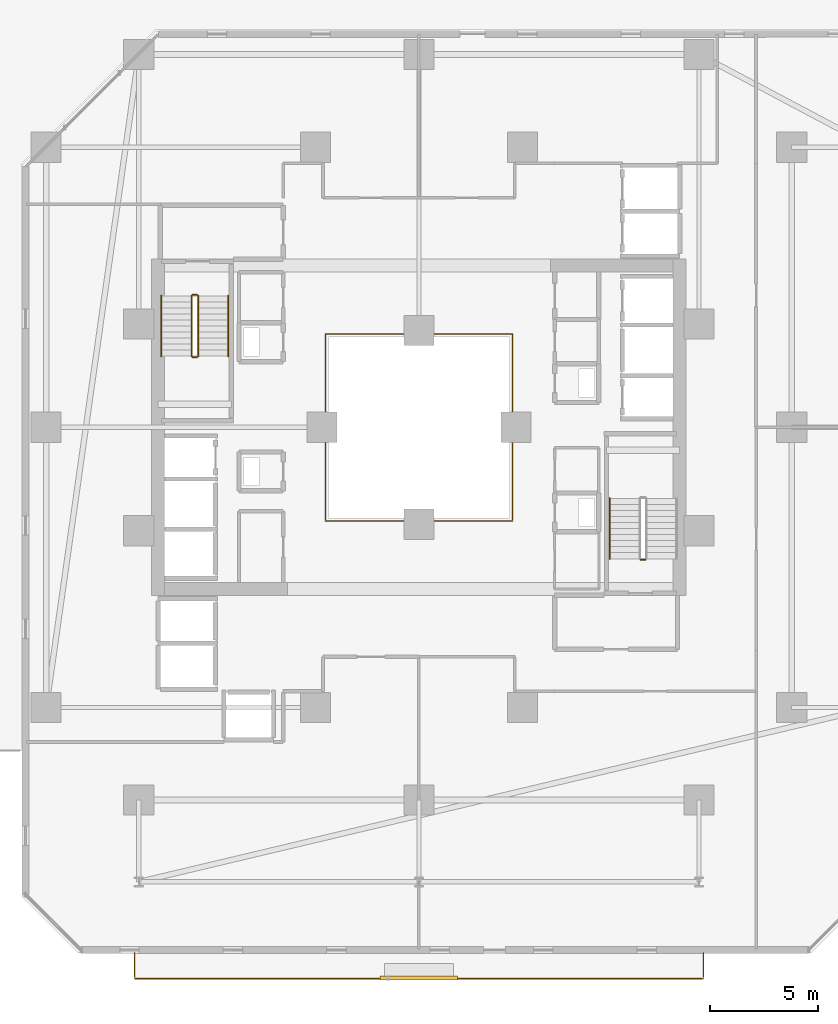
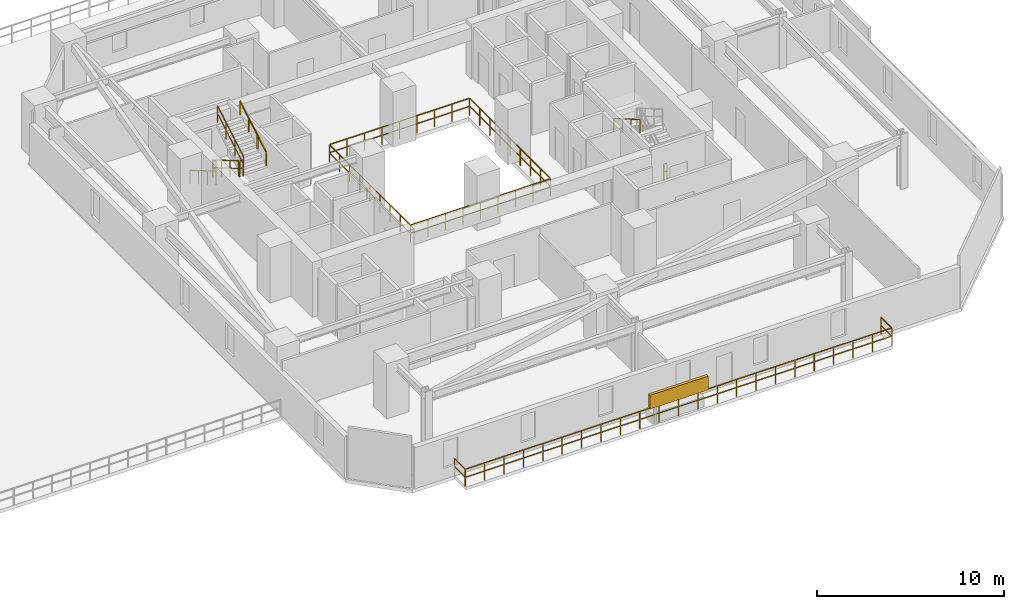
# One storey, part 32 of 34: 10 railings, 1 shading device.
"""IFC4 building model written with IfcOpenShell, lengths in metres."""

from ifc_helpers import new_model, si_unit, direction, frame, origin, origin_2d, place, context, subcontext, project, spatial, rectangle, extrude, material, type_object, element, save


model = new_model("IFC4")

# Units and contexts
model_context = context("Model", 3, precision=1e-05, world=origin(), true_north=direction((0.0, 1.0)))
body_context = subcontext(model_context, "Body", "Model", "MODEL_VIEW")
ifc_project = project(units=[si_unit("LENGTHUNIT", "METRE"), si_unit("AREAUNIT", "SQUARE_METRE"), si_unit("VOLUMEUNIT", "CUBIC_METRE"), si_unit("PLANEANGLEUNIT", "RADIAN"), si_unit("MASSUNIT", "GRAM", prefix="KILO")], contexts=[model_context])

# Site, building, storey
site_placement = place(None, origin())
site = spatial("IfcSite", under=ifc_project, at=site_placement, CompositionType="ELEMENT")
building_placement = place(site_placement, origin())
building = spatial("IfcBuilding", under=site, at=building_placement, Name="Thornwick Lancets Civic Towers", CompositionType="ELEMENT")
storey_placement = place(building_placement, frame((0.0, 0.0, 27.89990234375)))
storey = spatial("IfcBuildingStorey", under=building, at=storey_placement, Name="L06", CompositionType="ELEMENT", Elevation=27.89990234375)

# Railings
ifc_material_1 = material(Name="Laminated glass and bronze steel S355", Category="steel")
railing_type_1 = type_object("IfcRailingType", Name="RAIL_ATRIUM_GUARD", PredefinedType="BALUSTRADE", material=ifc_material_1)
railing_1_placement = place(storey_placement, frame((84.159912109375, 22.659912109375, 0.0)))
element("IfcRailing", 1, at=railing_1_placement, inside=storey, type_object=railing_type_1, Name="L06 Tower B Central Atrium Guard Balustrade", PredefinedType="BALUSTRADE", context=body_context, shape_type="SweptSolid", body=[
    extrude(rectangle(XDim=0.048095703125, YDim=0.048095703125, at=origin_2d()), frame((0.0, 0.0, 1.1259765625), z_axis=(1.0, 0.0, 0.0), x_axis=(0.0, 1.0, 0.0)), (0.0, 0.0, 1.0), 8.64892578125),
    extrude(rectangle(XDim=0.0419921875, YDim=0.0419921875, at=origin_2d()), frame((0.03759765625, 0.0, 0.597900390625), z_axis=(1.0, 0.0, 0.0), x_axis=(0.0, 1.0, 0.0)), (0.0, 0.0, 1.0), 1.010009765625),
    extrude(rectangle(XDim=0.0419921875, YDim=0.0419921875, at=origin_2d()), frame((1.12255859375, 0.0, 0.597900390625), z_axis=(1.0, 0.0, 0.0), x_axis=(0.0, 1.0, 0.0)), (0.0, 0.0, 1.0), 1.010009765625),
    extrude(rectangle(XDim=0.0419921875, YDim=0.0419921875, at=origin_2d()), frame((2.20751953125, 0.0, 0.597900390625), z_axis=(1.0, 0.0, 0.0), x_axis=(0.0, 1.0, 0.0)), (0.0, 0.0, 1.0), 1.010009765625),
    extrude(rectangle(XDim=0.0419921875, YDim=0.0419921875, at=origin_2d()), frame((3.29248046875, 0.0, 0.597900390625), z_axis=(1.0, 0.0, 0.0), x_axis=(0.0, 1.0, 0.0)), (0.0, 0.0, 1.0), 1.010009765625),
    extrude(rectangle(XDim=0.0419921875, YDim=0.0419921875, at=origin_2d()), frame((4.377685546875, 0.0, 0.597900390625), z_axis=(1.0, 0.0, 0.0), x_axis=(0.0, 1.0, 0.0)), (0.0, 0.0, 1.0), 1.010009765625),
    extrude(rectangle(XDim=0.0419921875, YDim=0.0419921875, at=origin_2d()), frame((5.462646484375, 0.0, 0.597900390625), z_axis=(1.0, 0.0, 0.0), x_axis=(0.0, 1.0, 0.0)), (0.0, 0.0, 1.0), 1.010009765625),
    extrude(rectangle(XDim=0.0419921875, YDim=0.0419921875, at=origin_2d()), frame((6.547607421875, 0.0, 0.597900390625), z_axis=(1.0, 0.0, 0.0), x_axis=(0.0, 1.0, 0.0)), (0.0, 0.0, 1.0), 1.010009765625),
    extrude(rectangle(XDim=0.0419921875, YDim=0.0419921875, at=origin_2d()), frame((7.632568359375, 0.0, 0.597900390625), z_axis=(1.0, 0.0, 0.0), x_axis=(0.0, 1.0, 0.0)), (0.0, 0.0, 1.0), 1.010009765625),
    extrude(rectangle(XDim=0.048095703125, YDim=0.048095703125, at=origin_2d()), frame((8.68017578125, 0.03125, 1.1259765625), z_axis=(0.0, 1.0, 0.0), x_axis=(-1.0, 0.0, 0.0)), (0.0, 0.0, 1.0), 8.61767578125),
    extrude(rectangle(XDim=0.0419921875, YDim=0.0419921875, at=origin_2d()), frame((8.68017578125, 0.03759765625, 0.597900390625), z_axis=(0.0, 1.0, 0.0), x_axis=(-1.0, 0.0, 0.0)), (0.0, 0.0, 1.0), 1.010009765625),
    extrude(rectangle(XDim=0.0419921875, YDim=0.0419921875, at=origin_2d()), frame((8.68017578125, 1.12255859375, 0.597900390625), z_axis=(0.0, 1.0, 0.0), x_axis=(-1.0, 0.0, 0.0)), (0.0, 0.0, 1.0), 1.010009765625),
    extrude(rectangle(XDim=0.0419921875, YDim=0.0419921875, at=origin_2d()), frame((8.68017578125, 2.20751953125, 0.597900390625), z_axis=(0.0, 1.0, 0.0), x_axis=(-1.0, 0.0, 0.0)), (0.0, 0.0, 1.0), 1.010009765625),
    extrude(rectangle(XDim=0.0419921875, YDim=0.0419921875, at=origin_2d()), frame((8.68017578125, 3.29248046875, 0.597900390625), z_axis=(0.0, 1.0, 0.0), x_axis=(-1.0, 0.0, 0.0)), (0.0, 0.0, 1.0), 1.010009765625),
    extrude(rectangle(XDim=0.0419921875, YDim=0.0419921875, at=origin_2d()), frame((8.68017578125, 4.377685546875, 0.597900390625), z_axis=(0.0, 1.0, 0.0), x_axis=(-1.0, 0.0, 0.0)), (0.0, 0.0, 1.0), 1.010009765625),
    extrude(rectangle(XDim=0.0419921875, YDim=0.0419921875, at=origin_2d()), frame((8.68017578125, 5.462646484375, 0.597900390625), z_axis=(0.0, 1.0, 0.0), x_axis=(-1.0, 0.0, 0.0)), (0.0, 0.0, 1.0), 1.010009765625),
    extrude(rectangle(XDim=0.0419921875, YDim=0.0419921875, at=origin_2d()), frame((8.68017578125, 6.547607421875, 0.597900390625), z_axis=(0.0, 1.0, 0.0), x_axis=(-1.0, 0.0, 0.0)), (0.0, 0.0, 1.0), 1.010009765625),
    extrude(rectangle(XDim=0.0419921875, YDim=0.0419921875, at=origin_2d()), frame((8.68017578125, 7.632568359375, 0.597900390625), z_axis=(0.0, 1.0, 0.0), x_axis=(-1.0, 0.0, 0.0)), (0.0, 0.0, 1.0), 1.010009765625),
    extrude(rectangle(XDim=0.048095703125, YDim=0.048095703125, at=origin_2d()), frame((8.64892578125, 8.68017578125, 1.1259765625), z_axis=(-1.0, 0.0, 0.0), x_axis=(0.0, -1.0, 0.0)), (0.0, 0.0, 1.0), 8.61767578125),
    extrude(rectangle(XDim=0.0419921875, YDim=0.0419921875, at=origin_2d()), frame((8.642578125, 8.68017578125, 0.597900390625), z_axis=(-1.0, 0.0, 0.0), x_axis=(0.0, -1.0, 0.0)), (0.0, 0.0, 1.0), 1.010009765625),
    extrude(rectangle(XDim=0.0419921875, YDim=0.0419921875, at=origin_2d()), frame((7.5576171875, 8.68017578125, 0.597900390625), z_axis=(-1.0, 0.0, 0.0), x_axis=(0.0, -1.0, 0.0)), (0.0, 0.0, 1.0), 1.010009765625),
    extrude(rectangle(XDim=0.0419921875, YDim=0.0419921875, at=origin_2d()), frame((6.47265625, 8.68017578125, 0.597900390625), z_axis=(-1.0, 0.0, 0.0), x_axis=(0.0, -1.0, 0.0)), (0.0, 0.0, 1.0), 1.010009765625),
    extrude(rectangle(XDim=0.0419921875, YDim=0.0419921875, at=origin_2d()), frame((5.3876953125, 8.68017578125, 0.597900390625), z_axis=(-1.0, 0.0, 0.0), x_axis=(0.0, -1.0, 0.0)), (0.0, 0.0, 1.0), 1.010009765625),
    extrude(rectangle(XDim=0.0419921875, YDim=0.0419921875, at=origin_2d()), frame((4.302490234375, 8.68017578125, 0.597900390625), z_axis=(-1.0, 0.0, 0.0), x_axis=(0.0, -1.0, 0.0)), (0.0, 0.0, 1.0), 1.010009765625),
    extrude(rectangle(XDim=0.0419921875, YDim=0.0419921875, at=origin_2d()), frame((3.217529296875, 8.68017578125, 0.597900390625), z_axis=(-1.0, 0.0, 0.0), x_axis=(0.0, -1.0, 0.0)), (0.0, 0.0, 1.0), 1.010009765625),
    extrude(rectangle(XDim=0.0419921875, YDim=0.0419921875, at=origin_2d()), frame((2.132568359375, 8.68017578125, 0.597900390625), z_axis=(-1.0, 0.0, 0.0), x_axis=(0.0, -1.0, 0.0)), (0.0, 0.0, 1.0), 1.010009765625),
    extrude(rectangle(XDim=0.0419921875, YDim=0.0419921875, at=origin_2d()), frame((1.047607421875, 8.68017578125, 0.597900390625), z_axis=(-1.0, 0.0, 0.0), x_axis=(0.0, -1.0, 0.0)), (0.0, 0.0, 1.0), 1.010009765625),
    extrude(rectangle(XDim=0.048095703125, YDim=0.048095703125, at=origin_2d()), frame((0.0, 8.64892578125, 1.1259765625), z_axis=(0.0, -1.0, 0.0), x_axis=(1.0, 0.0, 0.0)), (0.0, 0.0, 1.0), 8.64892578125),
    extrude(rectangle(XDim=0.0419921875, YDim=0.0419921875, at=origin_2d()), frame((0.0, 8.642578125, 0.597900390625), z_axis=(0.0, -1.0, 0.0), x_axis=(1.0, 0.0, 0.0)), (0.0, 0.0, 1.0), 1.010009765625),
    extrude(rectangle(XDim=0.0419921875, YDim=0.0419921875, at=origin_2d()), frame((0.0, 7.5576171875, 0.597900390625), z_axis=(0.0, -1.0, 0.0), x_axis=(1.0, 0.0, 0.0)), (0.0, 0.0, 1.0), 1.010009765625),
    extrude(rectangle(XDim=0.0419921875, YDim=0.0419921875, at=origin_2d()), frame((0.0, 6.47265625, 0.597900390625), z_axis=(0.0, -1.0, 0.0), x_axis=(1.0, 0.0, 0.0)), (0.0, 0.0, 1.0), 1.010009765625),
    extrude(rectangle(XDim=0.0419921875, YDim=0.0419921875, at=origin_2d()), frame((0.0, 5.3876953125, 0.597900390625), z_axis=(0.0, -1.0, 0.0), x_axis=(1.0, 0.0, 0.0)), (0.0, 0.0, 1.0), 1.010009765625),
    extrude(rectangle(XDim=0.0419921875, YDim=0.0419921875, at=origin_2d()), frame((0.0, 4.302490234375, 0.597900390625), z_axis=(0.0, -1.0, 0.0), x_axis=(1.0, 0.0, 0.0)), (0.0, 0.0, 1.0), 1.010009765625),
    extrude(rectangle(XDim=0.0419921875, YDim=0.0419921875, at=origin_2d()), frame((0.0, 3.217529296875, 0.597900390625), z_axis=(0.0, -1.0, 0.0), x_axis=(1.0, 0.0, 0.0)), (0.0, 0.0, 1.0), 1.010009765625),
    extrude(rectangle(XDim=0.0419921875, YDim=0.0419921875, at=origin_2d()), frame((0.0, 2.132568359375, 0.597900390625), z_axis=(0.0, -1.0, 0.0), x_axis=(1.0, 0.0, 0.0)), (0.0, 0.0, 1.0), 1.010009765625),
    extrude(rectangle(XDim=0.0419921875, YDim=0.0419921875, at=origin_2d()), frame((0.0, 1.047607421875, 0.597900390625), z_axis=(0.0, -1.0, 0.0), x_axis=(1.0, 0.0, 0.0)), (0.0, 0.0, 1.0), 1.010009765625),
    extrude(rectangle(XDim=0.0419921875, YDim=0.0419921875, at=origin_2d()), origin(), (0.0, 0.0, 1.0), 1.095703125),
    extrude(rectangle(XDim=0.0419921875, YDim=0.0419921875, at=origin_2d()), frame((1.0849609375, 0.0, 0.0)), (0.0, 0.0, 1.0), 1.095703125),
    extrude(rectangle(XDim=0.0419921875, YDim=0.0419921875, at=origin_2d()), frame((2.169921875, 0.0, 0.0)), (0.0, 0.0, 1.0), 1.095703125),
    extrude(rectangle(XDim=0.0419921875, YDim=0.0419921875, at=origin_2d()), frame((3.255126953125, 0.0, 0.0)), (0.0, 0.0, 1.0), 1.095703125),
    extrude(rectangle(XDim=0.0419921875, YDim=0.0419921875, at=origin_2d()), frame((4.340087890625, 0.0, 0.0)), (0.0, 0.0, 1.0), 1.095703125),
    extrude(rectangle(XDim=0.0419921875, YDim=0.0419921875, at=origin_2d()), frame((5.425048828125, 0.0, 0.0)), (0.0, 0.0, 1.0), 1.095703125),
    extrude(rectangle(XDim=0.0419921875, YDim=0.0419921875, at=origin_2d()), frame((6.51025390625, 0.0, 0.0)), (0.0, 0.0, 1.0), 1.095703125),
    extrude(rectangle(XDim=0.0419921875, YDim=0.0419921875, at=origin_2d()), frame((7.59521484375, 0.0, 0.0)), (0.0, 0.0, 1.0), 1.095703125),
    extrude(rectangle(XDim=0.0419921875, YDim=0.0419921875, at=origin_2d()), frame((8.68017578125, 0.0, 0.0)), (0.0, 0.0, 1.0), 1.095703125),
    extrude(rectangle(XDim=0.0419921875, YDim=0.0419921875, at=origin_2d()), frame((8.68017578125, 1.0849609375, 0.0)), (0.0, 0.0, 1.0), 1.095703125),
    extrude(rectangle(XDim=0.0419921875, YDim=0.0419921875, at=origin_2d()), frame((8.68017578125, 2.169921875, 0.0)), (0.0, 0.0, 1.0), 1.095703125),
    extrude(rectangle(XDim=0.0419921875, YDim=0.0419921875, at=origin_2d()), frame((8.68017578125, 3.255126953125, 0.0)), (0.0, 0.0, 1.0), 1.095703125),
    extrude(rectangle(XDim=0.0419921875, YDim=0.0419921875, at=origin_2d()), frame((8.68017578125, 4.340087890625, 0.0)), (0.0, 0.0, 1.0), 1.095703125),
    extrude(rectangle(XDim=0.0419921875, YDim=0.0419921875, at=origin_2d()), frame((8.68017578125, 5.425048828125, 0.0)), (0.0, 0.0, 1.0), 1.095703125),
    extrude(rectangle(XDim=0.0419921875, YDim=0.0419921875, at=origin_2d()), frame((8.68017578125, 6.51025390625, 0.0)), (0.0, 0.0, 1.0), 1.095703125),
    extrude(rectangle(XDim=0.0419921875, YDim=0.0419921875, at=origin_2d()), frame((8.68017578125, 7.59521484375, 0.0)), (0.0, 0.0, 1.0), 1.095703125),
    extrude(rectangle(XDim=0.0419921875, YDim=0.0419921875, at=origin_2d()), frame((8.68017578125, 8.68017578125, 0.0)), (0.0, 0.0, 1.0), 1.095703125),
    extrude(rectangle(XDim=0.0419921875, YDim=0.0419921875, at=origin_2d()), frame((7.59521484375, 8.68017578125, 0.0)), (0.0, 0.0, 1.0), 1.095703125),
    extrude(rectangle(XDim=0.0419921875, YDim=0.0419921875, at=origin_2d()), frame((6.51025390625, 8.68017578125, 0.0)), (0.0, 0.0, 1.0), 1.095703125),
    extrude(rectangle(XDim=0.0419921875, YDim=0.0419921875, at=origin_2d()), frame((5.425048828125, 8.68017578125, 0.0)), (0.0, 0.0, 1.0), 1.095703125),
    extrude(rectangle(XDim=0.0419921875, YDim=0.0419921875, at=origin_2d()), frame((4.340087890625, 8.68017578125, 0.0)), (0.0, 0.0, 1.0), 1.095703125),
    extrude(rectangle(XDim=0.0419921875, YDim=0.0419921875, at=origin_2d()), frame((3.255126953125, 8.68017578125, 0.0)), (0.0, 0.0, 1.0), 1.095703125),
    extrude(rectangle(XDim=0.0419921875, YDim=0.0419921875, at=origin_2d()), frame((2.169921875, 8.68017578125, 0.0)), (0.0, 0.0, 1.0), 1.095703125),
    extrude(rectangle(XDim=0.0419921875, YDim=0.0419921875, at=origin_2d()), frame((1.0849609375, 8.68017578125, 0.0)), (0.0, 0.0, 1.0), 1.095703125),
    extrude(rectangle(XDim=0.0419921875, YDim=0.0419921875, at=origin_2d()), frame((0.0, 8.68017578125, 0.0)), (0.0, 0.0, 1.0), 1.095703125),
    extrude(rectangle(XDim=0.0419921875, YDim=0.0419921875, at=origin_2d()), frame((0.0, 7.59521484375, 0.0)), (0.0, 0.0, 1.0), 1.095703125),
    extrude(rectangle(XDim=0.0419921875, YDim=0.0419921875, at=origin_2d()), frame((0.0, 6.51025390625, 0.0)), (0.0, 0.0, 1.0), 1.095703125),
    extrude(rectangle(XDim=0.0419921875, YDim=0.0419921875, at=origin_2d()), frame((0.0, 5.425048828125, 0.0)), (0.0, 0.0, 1.0), 1.095703125),
    extrude(rectangle(XDim=0.0419921875, YDim=0.0419921875, at=origin_2d()), frame((0.0, 4.340087890625, 0.0)), (0.0, 0.0, 1.0), 1.095703125),
    extrude(rectangle(XDim=0.0419921875, YDim=0.0419921875, at=origin_2d()), frame((0.0, 3.255126953125, 0.0)), (0.0, 0.0, 1.0), 1.095703125),
    extrude(rectangle(XDim=0.0419921875, YDim=0.0419921875, at=origin_2d()), frame((0.0, 2.169921875, 0.0)), (0.0, 0.0, 1.0), 1.095703125),
    extrude(rectangle(XDim=0.0419921875, YDim=0.0419921875, at=origin_2d()), frame((0.0, 1.0849609375, 0.0)), (0.0, 0.0, 1.0), 1.095703125),
])
ifc_material_2 = material(Name="Brushed stainless steel S355", Category="steel")
railing_type_2 = type_object("IfcRailingType", Name="RAIL_HANDRAIL", PredefinedType="HANDRAIL", material=ifc_material_2)
railing_2_placement = place(storey_placement, frame((97.35009765625, 23.699951171875, 1.963623046875)))
element("IfcRailing", 2, at=railing_2_placement, inside=storey, type_object=railing_type_2, Name="L06 ST-B1 stair handrail 2", PredefinedType="HANDRAIL", context=body_context, shape_type="SweptSolid", body=[
    extrude(rectangle(XDim=0.048095703125, YDim=0.048095703125, at=origin_2d()), frame((0.0, 0.0, 0.8857421875), z_axis=(0.0, -0.863360870873, 0.504586966384), x_axis=(1.0, 0.0, 0.0)), (0.0, 0.0, 1.0), 3.2431640625),
    extrude(rectangle(XDim=0.0419921875, YDim=0.0419921875, at=origin_2d()), origin(), (0.0, 0.0, 1.0), 0.855712890625),
    extrude(rectangle(XDim=0.0419921875, YDim=0.0419921875, at=origin_2d()), frame((0.0, -0.933349609375, 0.54541015625)), (0.0, 0.0, 1.0), 0.855712890625),
    extrude(rectangle(XDim=0.0419921875, YDim=0.0419921875, at=origin_2d()), frame((0.0, -1.86669921875, 1.091064453125)), (0.0, 0.0, 1.0), 0.855712890625),
    extrude(rectangle(XDim=0.0419921875, YDim=0.0419921875, at=origin_2d()), frame((0.0, -2.800048828125, 1.636474609375)), (0.0, 0.0, 1.0), 0.855712890625),
])
railing_3_placement = place(storey_placement, frame((76.550048828125, 33.10009765625, 0.163818359375)))
element("IfcRailing", 3, at=railing_3_placement, inside=storey, type_object=railing_type_2, Name="L06 ST-B2 stair handrail 1", PredefinedType="HANDRAIL", context=body_context, shape_type="SweptSolid", body=[
    extrude(rectangle(XDim=0.048095703125, YDim=0.048095703125, at=origin_2d()), frame((0.0, 0.0, 0.8857421875), z_axis=(0.0, -0.863393664356, 0.504530851732), x_axis=(1.0, 0.0, 0.0)), (0.0, 0.0, 1.0), 3.2431640625),
    extrude(rectangle(XDim=0.0419921875, YDim=0.0419921875, at=origin_2d()), origin(), (0.0, 0.0, 1.0), 0.855712890625),
    extrude(rectangle(XDim=0.0419921875, YDim=0.0419921875, at=origin_2d()), frame((0.0, -0.933349609375, 0.54541015625)), (0.0, 0.0, 1.0), 0.855712890625),
    extrude(rectangle(XDim=0.0419921875, YDim=0.0419921875, at=origin_2d()), frame((0.0, -1.86669921875, 1.0908203125)), (0.0, 0.0, 1.0), 0.855712890625),
    extrude(rectangle(XDim=0.0419921875, YDim=0.0419921875, at=origin_2d()), frame((0.0, -2.800048828125, 1.63623046875)), (0.0, 0.0, 1.0), 0.855712890625),
])
railing_4_placement = place(storey_placement, frame((79.64990234375, 30.300048828125, 1.963623046875)))
element("IfcRailing", 4, at=railing_4_placement, inside=storey, type_object=railing_type_2, Name="L06 ST-B2 stair handrail 2", PredefinedType="HANDRAIL", context=body_context, shape_type="SweptSolid", body=[
    extrude(rectangle(XDim=0.048095703125, YDim=0.048095703125, at=origin_2d()), frame((0.0, 0.0, 0.8857421875), z_axis=(0.0, 0.863360870873, 0.504586966384), x_axis=(-1.0, 0.0, 0.0)), (0.0, 0.0, 1.0), 3.2431640625),
    extrude(rectangle(XDim=0.0419921875, YDim=0.0419921875, at=origin_2d()), origin(), (0.0, 0.0, 1.0), 0.855712890625),
    extrude(rectangle(XDim=0.0419921875, YDim=0.0419921875, at=origin_2d()), frame((0.0, 0.933349609375, 0.54541015625)), (0.0, 0.0, 1.0), 0.855712890625),
    extrude(rectangle(XDim=0.0419921875, YDim=0.0419921875, at=origin_2d()), frame((0.0, 1.86669921875, 1.091064453125)), (0.0, 0.0, 1.0), 0.855712890625),
    extrude(rectangle(XDim=0.0419921875, YDim=0.0419921875, at=origin_2d()), frame((0.0, 2.800048828125, 1.636474609375)), (0.0, 0.0, 1.0), 0.855712890625),
])
ifc_material_3 = material(Name="Steel S355JR", Category="steel")
railing_type_3 = type_object("IfcRailingType", Name="RAIL_STAIR_GUARD", PredefinedType="GUARDRAIL", material=ifc_material_3)
railing_5_placement = place(storey_placement, frame((99.0, 20.85009765625, 0.0)))
element("IfcRailing", 5, at=railing_5_placement, inside=storey, type_object=railing_type_3, Name="L06 ST-B1 stair guard 4", PredefinedType="GUARDRAIL", context=body_context, shape_type="SweptSolid", body=[
    extrude(rectangle(XDim=0.048095703125, YDim=0.048095703125, at=origin_2d()), frame((0.0, 0.0, 1.076171875), z_axis=(-1.0, 0.0, 0.0), x_axis=(0.0, -1.0, 0.0)), (0.0, 0.0, 1.0), 0.199951171875),
    extrude(rectangle(XDim=0.0419921875, YDim=0.0419921875, at=origin_2d()), frame((-0.03759765625, 0.0, 0.572021484375), z_axis=(-1.0, 0.0, 0.0), x_axis=(0.0, -1.0, 0.0)), (0.0, 0.0, 1.0), 0.125),
    extrude(rectangle(XDim=0.0419921875, YDim=0.0419921875, at=origin_2d()), origin(), (0.0, 0.0, 1.0), 1.0458984375),
    extrude(rectangle(XDim=0.0419921875, YDim=0.0419921875, at=origin_2d()), frame((-0.199951171875, 0.0, 0.0)), (0.0, 0.0, 1.0), 1.0458984375),
])
railing_6_placement = place(storey_placement, frame((77.949951171875, 33.10009765625, 0.163818359375)))
element("IfcRailing", 6, at=railing_6_placement, inside=storey, type_object=railing_type_3, Name="L06 ST-B2 stair guard 1", PredefinedType="GUARDRAIL", context=body_context, shape_type="SweptSolid", body=[
    extrude(rectangle(XDim=0.048095703125, YDim=0.048095703125, at=origin_2d()), frame((0.0, 0.0, 1.076171875), z_axis=(0.0, -0.863393664356, 0.504530851732), x_axis=(1.0, 0.0, 0.0)), (0.0, 0.0, 1.0), 3.2431640625),
    extrude(rectangle(XDim=0.0419921875, YDim=0.0419921875, at=origin_2d()), frame((0.0, -0.032470703125, 0.591064453125), z_axis=(0.0, -0.863393664356, 0.504530851732), x_axis=(1.0, 0.0, 0.0)), (0.0, 0.0, 1.0), 1.006103515625),
    extrude(rectangle(XDim=0.0419921875, YDim=0.0419921875, at=origin_2d()), frame((0.0, -0.9658203125, 1.136474609375), z_axis=(0.0, -0.863393664356, 0.504530851732), x_axis=(1.0, 0.0, 0.0)), (0.0, 0.0, 1.0), 1.006103515625),
    extrude(rectangle(XDim=0.0419921875, YDim=0.0419921875, at=origin_2d()), frame((0.0, -1.899169921875, 1.681884765625), z_axis=(0.0, -0.863393664356, 0.504530851732), x_axis=(1.0, 0.0, 0.0)), (0.0, 0.0, 1.0), 1.006103515625),
    extrude(rectangle(XDim=0.0419921875, YDim=0.0419921875, at=origin_2d()), origin(), (0.0, 0.0, 1.0), 1.0458984375),
    extrude(rectangle(XDim=0.0419921875, YDim=0.0419921875, at=origin_2d()), frame((0.0, -0.933349609375, 0.54541015625)), (0.0, 0.0, 1.0), 1.0458984375),
    extrude(rectangle(XDim=0.0419921875, YDim=0.0419921875, at=origin_2d()), frame((0.0, -1.86669921875, 1.0908203125)), (0.0, 0.0, 1.0), 1.0458984375),
    extrude(rectangle(XDim=0.0419921875, YDim=0.0419921875, at=origin_2d()), frame((0.0, -2.800048828125, 1.63623046875)), (0.0, 0.0, 1.0), 1.0458984375),
])
railing_7_placement = place(storey_placement, frame((78.0, 30.25, 1.800048828125)))
element("IfcRailing", 7, at=railing_7_placement, inside=storey, type_object=railing_type_3, Name="L06 ST-B2 stair guard 2", PredefinedType="GUARDRAIL", context=body_context, shape_type="SweptSolid", body=[
    extrude(rectangle(XDim=0.048095703125, YDim=0.048095703125, at=origin_2d()), frame((0.0, 0.0, 1.076171875), z_axis=(1.0, 0.0, 0.0), x_axis=(0.0, 1.0, 0.0)), (0.0, 0.0, 1.0), 0.199951171875),
    extrude(rectangle(XDim=0.0419921875, YDim=0.0419921875, at=origin_2d()), frame((0.03759765625, 0.0, 0.572021484375), z_axis=(1.0, 0.0, 0.0), x_axis=(0.0, 1.0, 0.0)), (0.0, 0.0, 1.0), 0.125),
    extrude(rectangle(XDim=0.0419921875, YDim=0.0419921875, at=origin_2d()), origin(), (0.0, 0.0, 1.0), 1.0458984375),
    extrude(rectangle(XDim=0.0419921875, YDim=0.0419921875, at=origin_2d()), frame((0.199951171875, 0.0, 0.0)), (0.0, 0.0, 1.0), 1.0458984375),
])
railing_8_placement = place(storey_placement, frame((78.25, 30.300048828125, 1.963623046875)))
element("IfcRailing", 8, at=railing_8_placement, inside=storey, type_object=railing_type_3, Name="L06 ST-B2 stair guard 3", PredefinedType="GUARDRAIL", context=body_context, shape_type="SweptSolid", body=[
    extrude(rectangle(XDim=0.048095703125, YDim=0.048095703125, at=origin_2d()), frame((0.0, 0.0, 1.076171875), z_axis=(0.0, 0.863360870873, 0.504586966384), x_axis=(-1.0, 0.0, 0.0)), (0.0, 0.0, 1.0), 3.2431640625),
    extrude(rectangle(XDim=0.0419921875, YDim=0.0419921875, at=origin_2d()), frame((0.0, 0.032470703125, 0.591064453125), z_axis=(0.0, 0.863360870873, 0.504586966384), x_axis=(-1.0, 0.0, 0.0)), (0.0, 0.0, 1.0), 1.006103515625),
    extrude(rectangle(XDim=0.0419921875, YDim=0.0419921875, at=origin_2d()), frame((0.0, 0.9658203125, 1.136474609375), z_axis=(0.0, 0.863360870873, 0.504586966384), x_axis=(-1.0, 0.0, 0.0)), (0.0, 0.0, 1.0), 1.006103515625),
    extrude(rectangle(XDim=0.0419921875, YDim=0.0419921875, at=origin_2d()), frame((0.0, 1.899169921875, 1.681884765625), z_axis=(0.0, 0.863360870873, 0.504586966384), x_axis=(-1.0, 0.0, 0.0)), (0.0, 0.0, 1.0), 1.006103515625),
    extrude(rectangle(XDim=0.0419921875, YDim=0.0419921875, at=origin_2d()), origin(), (0.0, 0.0, 1.0), 1.0458984375),
    extrude(rectangle(XDim=0.0419921875, YDim=0.0419921875, at=origin_2d()), frame((0.0, 0.933349609375, 0.54541015625)), (0.0, 0.0, 1.0), 1.0458984375),
    extrude(rectangle(XDim=0.0419921875, YDim=0.0419921875, at=origin_2d()), frame((0.0, 1.86669921875, 1.091064453125)), (0.0, 0.0, 1.0), 1.0458984375),
    extrude(rectangle(XDim=0.0419921875, YDim=0.0419921875, at=origin_2d()), frame((0.0, 2.800048828125, 1.636474609375)), (0.0, 0.0, 1.0), 1.0458984375),
])
railing_9_placement = place(storey_placement, frame((78.0, 33.14990234375, 0.0)))
element("IfcRailing", 9, at=railing_9_placement, inside=storey, type_object=railing_type_3, Name="L06 ST-B2 stair guard 4", PredefinedType="GUARDRAIL", context=body_context, shape_type="SweptSolid", body=[
    extrude(rectangle(XDim=0.048095703125, YDim=0.048095703125, at=origin_2d()), frame((0.0, 0.0, 1.076171875), z_axis=(1.0, 0.0, 0.0), x_axis=(0.0, 1.0, 0.0)), (0.0, 0.0, 1.0), 0.199951171875),
    extrude(rectangle(XDim=0.0419921875, YDim=0.0419921875, at=origin_2d()), frame((0.03759765625, 0.0, 0.572021484375), z_axis=(1.0, 0.0, 0.0), x_axis=(0.0, 1.0, 0.0)), (0.0, 0.0, 1.0), 0.125),
    extrude(rectangle(XDim=0.0419921875, YDim=0.0419921875, at=origin_2d()), origin(), (0.0, 0.0, 1.0), 1.0458984375),
    extrude(rectangle(XDim=0.0419921875, YDim=0.0419921875, at=origin_2d()), frame((0.199951171875, 0.0, 0.0)), (0.0, 0.0, 1.0), 1.0458984375),
])
ifc_material_4 = material(Name="Terracotta-capped laminated glass balustrade S355", Category="masonry")
railing_type_4 = type_object("IfcRailingType", Name="RAIL_TERR_GUARD", PredefinedType="GUARDRAIL", material=ifc_material_4)
railing_10_placement = place(storey_placement, frame((75.300048828125, 2.60009765625, 0.0)))
element("IfcRailing", 10, at=railing_10_placement, inside=storey, type_object=railing_type_4, Name="L06 Tower B Balcony Guard S", PredefinedType="GUARDRAIL", context=body_context, shape_type="SweptSolid", body=[
    extrude(rectangle(XDim=0.048095703125, YDim=0.048095703125, at=origin_2d()), frame((0.0, 0.0, 1.1259765625), z_axis=(0.0, -1.0, 0.0), x_axis=(1.0, 0.0, 0.0)), (0.0, 0.0, 1.0), 1.138916015625),
    extrude(rectangle(XDim=0.0419921875, YDim=0.0419921875, at=origin_2d()), frame((0.0, -0.03759765625, 0.597900390625), z_axis=(0.0, -1.0, 0.0), x_axis=(1.0, 0.0, 0.0)), (0.0, 0.0, 1.0), 1.09521484375),
    extrude(rectangle(XDim=0.048095703125, YDim=0.048095703125, at=origin_2d()), frame((0.03125, -1.170166015625, 1.1259765625), z_axis=(1.0, 0.0, 0.0), x_axis=(0.0, 1.0, 0.0)), (0.0, 0.0, 1.0), 26.33740234375),
    extrude(rectangle(XDim=0.0419921875, YDim=0.0419921875, at=origin_2d()), frame((0.03759765625, -1.170166015625, 0.597900390625), z_axis=(1.0, 0.0, 0.0), x_axis=(0.0, 1.0, 0.0)), (0.0, 0.0, 1.0), 1.125),
    extrude(rectangle(XDim=0.0419921875, YDim=0.0419921875, at=origin_2d()), frame((1.237548828125, -1.170166015625, 0.597900390625), z_axis=(1.0, 0.0, 0.0), x_axis=(0.0, 1.0, 0.0)), (0.0, 0.0, 1.0), 1.125),
    extrude(rectangle(XDim=0.0419921875, YDim=0.0419921875, at=origin_2d()), frame((2.4375, -1.170166015625, 0.597900390625), z_axis=(1.0, 0.0, 0.0), x_axis=(0.0, 1.0, 0.0)), (0.0, 0.0, 1.0), 1.125),
    extrude(rectangle(XDim=0.0419921875, YDim=0.0419921875, at=origin_2d()), frame((3.637451171875, -1.170166015625, 0.597900390625), z_axis=(1.0, 0.0, 0.0), x_axis=(0.0, 1.0, 0.0)), (0.0, 0.0, 1.0), 1.125),
    extrude(rectangle(XDim=0.0419921875, YDim=0.0419921875, at=origin_2d()), frame((4.83740234375, -1.170166015625, 0.597900390625), z_axis=(1.0, 0.0, 0.0), x_axis=(0.0, 1.0, 0.0)), (0.0, 0.0, 1.0), 1.125),
    extrude(rectangle(XDim=0.0419921875, YDim=0.0419921875, at=origin_2d()), frame((6.037353515625, -1.170166015625, 0.597900390625), z_axis=(1.0, 0.0, 0.0), x_axis=(0.0, 1.0, 0.0)), (0.0, 0.0, 1.0), 1.125),
    extrude(rectangle(XDim=0.0419921875, YDim=0.0419921875, at=origin_2d()), frame((7.237548828125, -1.170166015625, 0.597900390625), z_axis=(1.0, 0.0, 0.0), x_axis=(0.0, 1.0, 0.0)), (0.0, 0.0, 1.0), 1.125),
    extrude(rectangle(XDim=0.0419921875, YDim=0.0419921875, at=origin_2d()), frame((8.4375, -1.170166015625, 0.597900390625), z_axis=(1.0, 0.0, 0.0), x_axis=(0.0, 1.0, 0.0)), (0.0, 0.0, 1.0), 1.125),
    extrude(rectangle(XDim=0.0419921875, YDim=0.0419921875, at=origin_2d()), frame((9.637451171875, -1.170166015625, 0.597900390625), z_axis=(1.0, 0.0, 0.0), x_axis=(0.0, 1.0, 0.0)), (0.0, 0.0, 1.0), 1.125),
    extrude(rectangle(XDim=0.0419921875, YDim=0.0419921875, at=origin_2d()), frame((10.83740234375, -1.170166015625, 0.597900390625), z_axis=(1.0, 0.0, 0.0), x_axis=(0.0, 1.0, 0.0)), (0.0, 0.0, 1.0), 1.125),
    extrude(rectangle(XDim=0.0419921875, YDim=0.0419921875, at=origin_2d()), frame((12.037353515625, -1.170166015625, 0.597900390625), z_axis=(1.0, 0.0, 0.0), x_axis=(0.0, 1.0, 0.0)), (0.0, 0.0, 1.0), 1.125),
    extrude(rectangle(XDim=0.0419921875, YDim=0.0419921875, at=origin_2d()), frame((13.237548828125, -1.170166015625, 0.597900390625), z_axis=(1.0, 0.0, 0.0), x_axis=(0.0, 1.0, 0.0)), (0.0, 0.0, 1.0), 1.125),
    extrude(rectangle(XDim=0.0419921875, YDim=0.0419921875, at=origin_2d()), frame((14.4375, -1.170166015625, 0.597900390625), z_axis=(1.0, 0.0, 0.0), x_axis=(0.0, 1.0, 0.0)), (0.0, 0.0, 1.0), 1.125),
    extrude(rectangle(XDim=0.0419921875, YDim=0.0419921875, at=origin_2d()), frame((15.637451171875, -1.170166015625, 0.597900390625), z_axis=(1.0, 0.0, 0.0), x_axis=(0.0, 1.0, 0.0)), (0.0, 0.0, 1.0), 1.125),
    extrude(rectangle(XDim=0.0419921875, YDim=0.0419921875, at=origin_2d()), frame((16.83740234375, -1.170166015625, 0.597900390625), z_axis=(1.0, 0.0, 0.0), x_axis=(0.0, 1.0, 0.0)), (0.0, 0.0, 1.0), 1.125),
    extrude(rectangle(XDim=0.0419921875, YDim=0.0419921875, at=origin_2d()), frame((18.037353515625, -1.170166015625, 0.597900390625), z_axis=(1.0, 0.0, 0.0), x_axis=(0.0, 1.0, 0.0)), (0.0, 0.0, 1.0), 1.125),
    extrude(rectangle(XDim=0.0419921875, YDim=0.0419921875, at=origin_2d()), frame((19.2373046875, -1.170166015625, 0.597900390625), z_axis=(1.0, 0.0, 0.0), x_axis=(0.0, 1.0, 0.0)), (0.0, 0.0, 1.0), 1.125),
    extrude(rectangle(XDim=0.0419921875, YDim=0.0419921875, at=origin_2d()), frame((20.4375, -1.170166015625, 0.597900390625), z_axis=(1.0, 0.0, 0.0), x_axis=(0.0, 1.0, 0.0)), (0.0, 0.0, 1.0), 1.125),
    extrude(rectangle(XDim=0.0419921875, YDim=0.0419921875, at=origin_2d()), frame((21.637451171875, -1.170166015625, 0.597900390625), z_axis=(1.0, 0.0, 0.0), x_axis=(0.0, 1.0, 0.0)), (0.0, 0.0, 1.0), 1.125),
    extrude(rectangle(XDim=0.0419921875, YDim=0.0419921875, at=origin_2d()), frame((22.83740234375, -1.170166015625, 0.597900390625), z_axis=(1.0, 0.0, 0.0), x_axis=(0.0, 1.0, 0.0)), (0.0, 0.0, 1.0), 1.125),
    extrude(rectangle(XDim=0.0419921875, YDim=0.0419921875, at=origin_2d()), frame((24.037353515625, -1.170166015625, 0.597900390625), z_axis=(1.0, 0.0, 0.0), x_axis=(0.0, 1.0, 0.0)), (0.0, 0.0, 1.0), 1.125),
    extrude(rectangle(XDim=0.0419921875, YDim=0.0419921875, at=origin_2d()), frame((25.2373046875, -1.170166015625, 0.597900390625), z_axis=(1.0, 0.0, 0.0), x_axis=(0.0, 1.0, 0.0)), (0.0, 0.0, 1.0), 1.125),
    extrude(rectangle(XDim=0.048095703125, YDim=0.048095703125, at=origin_2d()), frame((26.39990234375, -1.138916015625, 1.1259765625), z_axis=(0.0, 1.0, 0.0), x_axis=(-1.0, 0.0, 0.0)), (0.0, 0.0, 1.0), 1.138916015625),
    extrude(rectangle(XDim=0.0419921875, YDim=0.0419921875, at=origin_2d()), frame((26.39990234375, -1.132568359375, 0.597900390625), z_axis=(0.0, 1.0, 0.0), x_axis=(-1.0, 0.0, 0.0)), (0.0, 0.0, 1.0), 1.09521484375),
    extrude(rectangle(XDim=0.0419921875, YDim=0.0419921875, at=origin_2d()), origin(), (0.0, 0.0, 1.0), 1.095703125),
    extrude(rectangle(XDim=0.0419921875, YDim=0.0419921875, at=origin_2d()), frame((0.0, -1.170166015625, 0.0)), (0.0, 0.0, 1.0), 1.095703125),
    extrude(rectangle(XDim=0.0419921875, YDim=0.0419921875, at=origin_2d()), frame((1.199951171875, -1.170166015625, 0.0)), (0.0, 0.0, 1.0), 1.095703125),
    extrude(rectangle(XDim=0.0419921875, YDim=0.0419921875, at=origin_2d()), frame((2.39990234375, -1.170166015625, 0.0)), (0.0, 0.0, 1.0), 1.095703125),
    extrude(rectangle(XDim=0.0419921875, YDim=0.0419921875, at=origin_2d()), frame((3.60009765625, -1.170166015625, 0.0)), (0.0, 0.0, 1.0), 1.095703125),
    extrude(rectangle(XDim=0.0419921875, YDim=0.0419921875, at=origin_2d()), frame((4.800048828125, -1.170166015625, 0.0)), (0.0, 0.0, 1.0), 1.095703125),
    extrude(rectangle(XDim=0.0419921875, YDim=0.0419921875, at=origin_2d()), frame((6.0, -1.170166015625, 0.0)), (0.0, 0.0, 1.0), 1.095703125),
    extrude(rectangle(XDim=0.0419921875, YDim=0.0419921875, at=origin_2d()), frame((7.199951171875, -1.170166015625, 0.0)), (0.0, 0.0, 1.0), 1.095703125),
    extrude(rectangle(XDim=0.0419921875, YDim=0.0419921875, at=origin_2d()), frame((8.39990234375, -1.170166015625, 0.0)), (0.0, 0.0, 1.0), 1.095703125),
    extrude(rectangle(XDim=0.0419921875, YDim=0.0419921875, at=origin_2d()), frame((9.599853515625, -1.170166015625, 0.0)), (0.0, 0.0, 1.0), 1.095703125),
    extrude(rectangle(XDim=0.0419921875, YDim=0.0419921875, at=origin_2d()), frame((10.800048828125, -1.170166015625, 0.0)), (0.0, 0.0, 1.0), 1.095703125),
    extrude(rectangle(XDim=0.0419921875, YDim=0.0419921875, at=origin_2d()), frame((12.0, -1.170166015625, 0.0)), (0.0, 0.0, 1.0), 1.095703125),
    extrude(rectangle(XDim=0.0419921875, YDim=0.0419921875, at=origin_2d()), frame((13.199951171875, -1.170166015625, 0.0)), (0.0, 0.0, 1.0), 1.095703125),
    extrude(rectangle(XDim=0.0419921875, YDim=0.0419921875, at=origin_2d()), frame((14.39990234375, -1.170166015625, 0.0)), (0.0, 0.0, 1.0), 1.095703125),
    extrude(rectangle(XDim=0.0419921875, YDim=0.0419921875, at=origin_2d()), frame((15.599853515625, -1.170166015625, 0.0)), (0.0, 0.0, 1.0), 1.095703125),
    extrude(rectangle(XDim=0.0419921875, YDim=0.0419921875, at=origin_2d()), frame((16.800048828125, -1.170166015625, 0.0)), (0.0, 0.0, 1.0), 1.095703125),
    extrude(rectangle(XDim=0.0419921875, YDim=0.0419921875, at=origin_2d()), frame((18.0, -1.170166015625, 0.0)), (0.0, 0.0, 1.0), 1.095703125),
    extrude(rectangle(XDim=0.0419921875, YDim=0.0419921875, at=origin_2d()), frame((19.199951171875, -1.170166015625, 0.0)), (0.0, 0.0, 1.0), 1.095703125),
    extrude(rectangle(XDim=0.0419921875, YDim=0.0419921875, at=origin_2d()), frame((20.39990234375, -1.170166015625, 0.0)), (0.0, 0.0, 1.0), 1.095703125),
    extrude(rectangle(XDim=0.0419921875, YDim=0.0419921875, at=origin_2d()), frame((21.599853515625, -1.170166015625, 0.0)), (0.0, 0.0, 1.0), 1.095703125),
    extrude(rectangle(XDim=0.0419921875, YDim=0.0419921875, at=origin_2d()), frame((22.7998046875, -1.170166015625, 0.0)), (0.0, 0.0, 1.0), 1.095703125),
    extrude(rectangle(XDim=0.0419921875, YDim=0.0419921875, at=origin_2d()), frame((24.0, -1.170166015625, 0.0)), (0.0, 0.0, 1.0), 1.095703125),
    extrude(rectangle(XDim=0.0419921875, YDim=0.0419921875, at=origin_2d()), frame((25.199951171875, -1.170166015625, 0.0)), (0.0, 0.0, 1.0), 1.095703125),
    extrude(rectangle(XDim=0.0419921875, YDim=0.0419921875, at=origin_2d()), frame((26.39990234375, -1.170166015625, 0.0)), (0.0, 0.0, 1.0), 1.095703125),
    extrude(rectangle(XDim=0.0419921875, YDim=0.0419921875, at=origin_2d()), frame((26.39990234375, 0.0, 0.0)), (0.0, 0.0, 1.0), 1.095703125),
])

# Shading device
ifc_material_5 = material(Name="Extruded terracotta baguette solar screen", Category="masonry")
shading_device_type = type_object("IfcShadingDeviceType", Name="SHADE_BAGUETTE", PredefinedType="JALOUSIE", material=ifc_material_5)
shading_device_placement = place(storey_placement, frame((88.5, 1.43994140625, 1.1201171875), z_axis=(0.0, 0.0, 1.0), x_axis=(1.0, 0.0, 0.0)))
element("IfcShadingDevice", 11, at=shading_device_placement, inside=storey, type_object=shading_device_type, Name="L06 Tower B Terracotta Baguette Screen S", PredefinedType="JALOUSIE", context=body_context, shape_type="SweptSolid", body=[
    extrude(rectangle(XDim=3.60009765625, YDim=0.179931640625, at=origin_2d()), origin(), (0.0, 0.0, 1.0), 0.89990234375),
])

save(model, "model.ifc")
